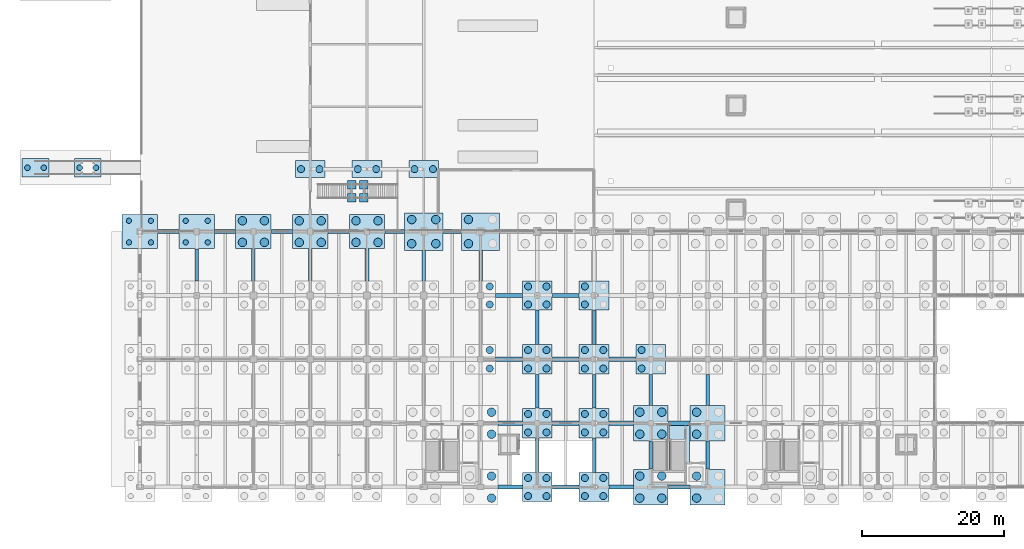
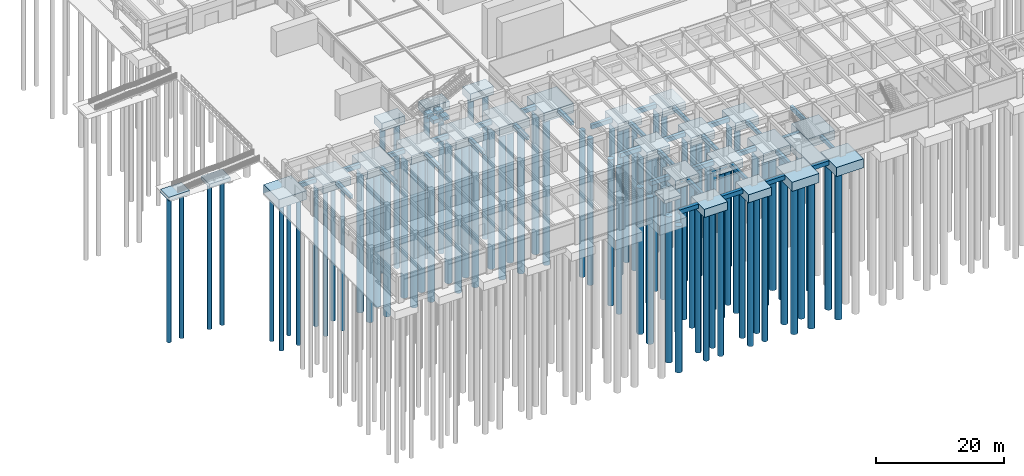
# One storey, part 2 of 147: 88 piles, 66 footings.
"""IFC4 building model written with IfcOpenShell, lengths in metres."""

from ifc_helpers import new_model, si_unit, direction, frame, origin, origin_2d, place, context, subcontext, project, spatial, rectangle, circle, extrude, material, layer, layer_set, material_profile, profile_set, type_object, element, save


model = new_model("IFC4")

# Units and contexts
model_context = context("Model", 3, precision=1e-05, world=origin(), true_north=direction((0.0, 1.0)))
body_context = subcontext(model_context, "Body", "Model", "MODEL_VIEW")
ifc_project = project(units=[si_unit("LENGTHUNIT", "METRE"), si_unit("AREAUNIT", "SQUARE_METRE"), si_unit("VOLUMEUNIT", "CUBIC_METRE"), si_unit("PLANEANGLEUNIT", "RADIAN"), si_unit("MASSUNIT", "GRAM", prefix="KILO")], contexts=[model_context])

# Site, building, storey
site_placement = place(None, origin())
site = spatial("IfcSite", under=ifc_project, at=site_placement, CompositionType="ELEMENT")
building_placement = place(site_placement, origin())
building = spatial("IfcBuilding", under=site, at=building_placement, Name="Varnabhumi Central Station", CompositionType="ELEMENT")
storey_placement = place(building_placement, origin())
storey = spatial("IfcBuildingStorey", under=building, at=storey_placement, Name="L00", CompositionType="ELEMENT", Elevation=0.0)

# Footings
ifc_material_1 = material(Name="Concrete M40", Category="concrete")
ifc_layer_1 = layer(ifc_material_1, 1.39990234375, Name="Concrete M40", Category="concrete")
ifc_layer_set_1 = layer_set([ifc_layer_1], Name="Concrete M40")
footing_type_1 = type_object("IfcFootingType", Name="CAP-CANOPY", PredefinedType="PILE_CAP", material=ifc_layer_set_1)
for number, where, z_axis, x_axis, name in (
    (1, (-14.699951171875, 45.0, -1.75), (0.0, 0.0, 1.0), (1.0, 0.0, 0.0), "RMP-FC-S Toe Pile Cap"),
    (2, (-7.35009765625, 45.0, -1.7998046875), (0.0, 0.0, 1.0), (1.0, 0.0, 0.0), "RMP-FC-S Landing Pile Cap"),
):
    element("IfcFooting", number, at=place(storey_placement, frame(where, z_axis=z_axis, x_axis=x_axis)), inside=storey, type_object=footing_type_1, Name=name, PredefinedType="PILE_CAP", context=body_context, shape_type="SweptSolid", body=[
        extrude(rectangle(XDim=3.800048828125, YDim=2.60009765625, at=origin_2d()), origin(), (0.0, 0.0, 1.0), 0.699951171875),
    ])
ifc_layer_2 = layer(ifc_material_1, 1.75, Name="Concrete M40", Category="concrete")
ifc_layer_set_2 = layer_set([ifc_layer_2], Name="Concrete M40")
footing_type_2 = type_object("IfcFootingType", Name="CAP-CORE-6S", PredefinedType="PILE_CAP", material=ifc_layer_set_2)
for number, where, z_axis, x_axis, name in (
    (3, (72.0, 0.0, -2.050048828125), (0.0, 0.0, 1.0), (1.0, 0.0, 0.0), "Pile Cap 10-A"),
    (4, (72.0, 9.0, -2.050048828125), (0.0, 0.0, 1.0), (1.0, 0.0, 0.0), "Pile Cap 10-B"),
    (5, (80.0, 0.0, -2.050048828125), (0.0, 0.0, 1.0), (1.0, 0.0, 0.0), "Pile Cap 11-A"),
    (6, (80.0, 9.0, -2.050048828125), (0.0, 0.0, 1.0), (1.0, 0.0, 0.0), "Pile Cap 11-B"),
):
    element("IfcFooting", number, at=place(storey_placement, frame(where, z_axis=z_axis, x_axis=x_axis)), inside=storey, type_object=footing_type_2, Name=name, PredefinedType="PILE_CAP", context=body_context, shape_type="SweptSolid", body=[
        extrude(rectangle(XDim=4.89990234375, YDim=5.0, at=origin_2d()), origin(), (0.0, 0.0, 1.0), 1.75),
    ])
ifc_layer_3 = layer(ifc_material_1, 1.5, Name="Concrete M40", Category="concrete")
ifc_layer_set_3 = layer_set([ifc_layer_3], Name="Concrete M40")
footing_type_3 = type_object("IfcFootingType", Name="CAP-NORTH-INT", PredefinedType="PILE_CAP", material=ifc_layer_set_3)
for number, where, z_axis, x_axis, name in (
    (7, (24.0, 44.800048828125, -1.800048828125), (0.0, 0.0, 1.0), (1.0, 0.0, 0.0), "Gallery Pile Cap 4-F"),
    (8, (32.0, 44.800048828125, -1.800048828125), (0.0, 0.0, 1.0), (1.0, 0.0, 0.0), "Gallery Pile Cap 5-F"),
    (9, (40.0, 44.800048828125, -1.800048828125), (0.0, 0.0, 1.0), (1.0, 0.0, 0.0), "Gallery Pile Cap 6-F"),
):
    element("IfcFooting", number, at=place(storey_placement, frame(where, z_axis=z_axis, x_axis=x_axis)), inside=storey, type_object=footing_type_3, Name=name, PredefinedType="PILE_CAP", context=body_context, shape_type="SweptSolid", body=[
        extrude(rectangle(XDim=4.199951171875, YDim=2.39990234375, at=origin_2d()), origin(), (0.0, 0.0, 1.0), 1.5),
    ])
ifc_layer_4 = layer(ifc_material_1, 1.60009765625, Name="Concrete M40", Category="concrete")
ifc_layer_set_4 = layer_set([ifc_layer_4], Name="Concrete M40")
footing_type_4 = type_object("IfcFootingType", Name="CAP-SOUTH-INT", PredefinedType="PILE_CAP", material=ifc_layer_set_4)
for number, where, z_axis, x_axis, name in (
    (10, (56.0, 9.0, -1.900146484375), (0.0, 0.0, 1.0), (1.0, 0.0, 0.0), "Pile Cap 8-B"),
    (11, (56.0, 18.0, -1.900146484375), (0.0, 0.0, 1.0), (1.0, 0.0, 0.0), "Pile Cap 8-C"),
    (12, (64.0, 9.0, -1.900146484375), (0.0, 0.0, 1.0), (1.0, 0.0, 0.0), "Pile Cap 9-B"),
    (13, (64.0, 18.0, -1.900146484375), (0.0, 0.0, 1.0), (1.0, 0.0, 0.0), "Pile Cap 9-C"),
    (14, (72.0, 18.0, -1.900146484375), (0.0, 0.0, 1.0), (1.0, 0.0, 0.0), "Pile Cap 10-C"),
):
    element("IfcFooting", number, at=place(storey_placement, frame(where, z_axis=z_axis, x_axis=x_axis)), inside=storey, type_object=footing_type_4, Name=name, PredefinedType="PILE_CAP", context=body_context, shape_type="SweptSolid", body=[
        extrude(rectangle(XDim=4.199951171875, YDim=4.199951171875, at=origin_2d()), origin(), (0.0, 0.0, 1.0), 1.60009765625),
    ])
ifc_layer_5 = layer(ifc_material_1, 1.550048828125, Name="Concrete M40", Category="concrete")
ifc_layer_set_5 = layer_set([ifc_layer_5], Name="Concrete M40")
footing_type_5 = type_object("IfcFootingType", Name="CAP-SOUTH-PER", PredefinedType="PILE_CAP", material=ifc_layer_set_5)
for number, where, z_axis, x_axis, name in (
    (15, (56.0, 0.0, -1.85009765625), (0.0, 0.0, 1.0), (1.0, 0.0, 0.0), "Pile Cap 8-A"),
    (16, (56.0, 27.0, -1.85009765625), (0.0, 0.0, 1.0), (1.0, 0.0, 0.0), "Pile Cap 8-D"),
    (17, (64.0, 0.0, -1.85009765625), (0.0, 0.0, 1.0), (1.0, 0.0, 0.0), "Pile Cap 9-A"),
    (18, (64.0, 27.0, -1.85009765625), (0.0, 0.0, 1.0), (1.0, 0.0, 0.0), "Pile Cap 9-D"),
):
    element("IfcFooting", number, at=place(storey_placement, frame(where, z_axis=z_axis, x_axis=x_axis)), inside=storey, type_object=footing_type_5, Name=name, PredefinedType="PILE_CAP", context=body_context, shape_type="SweptSolid", body=[
        extrude(rectangle(XDim=4.199951171875, YDim=4.10009765625, at=origin_2d()), origin(), (0.0, 0.0, 1.0), 1.550048828125),
    ])
ifc_layer_6 = layer(ifc_material_1, 1.800048828125, Name="Concrete M40", Category="concrete")
ifc_layer_set_6 = layer_set([ifc_layer_6], Name="Concrete M40")
footing_type_6 = type_object("IfcFootingType", Name="CAP-SPINE-HVY", PredefinedType="PILE_CAP", material=ifc_layer_set_6)
for number, where, z_axis, x_axis, name in (
    (19, (40.0, 36.0, -2.10009765625), (0.0, 0.0, 1.0), (1.0, 0.0, 0.0), "Pile Cap 6-E"),
    (20, (48.0, 36.0, -2.10009765625), (0.0, 0.0, 1.0), (1.0, 0.0, 0.0), "Pile Cap 7-E"),
):
    element("IfcFooting", number, at=place(storey_placement, frame(where, z_axis=z_axis, x_axis=x_axis)), inside=storey, type_object=footing_type_6, Name=name, PredefinedType="PILE_CAP", context=body_context, shape_type="SweptSolid", body=[
        extrude(rectangle(XDim=5.39990234375, YDim=5.300048828125, at=origin_2d()), origin(), (0.0, 0.0, 1.0), 1.800048828125),
    ])
ifc_layer_7 = layer(ifc_material_1, 1.699951171875, Name="Concrete M40", Category="concrete")
ifc_layer_set_7 = layer_set([ifc_layer_7], Name="Concrete M40")
footing_type_7 = type_object("IfcFootingType", Name="CAP-SPINE-MED", PredefinedType="PILE_CAP", material=ifc_layer_set_7)
for number, where, z_axis, x_axis, name in (
    (21, (0.0, 36.0, -2.0), (0.0, 0.0, 1.0), (1.0, 0.0, 0.0), "Pile Cap 1-E"),
    (22, (8.0, 36.0, -2.0), (0.0, 0.0, 1.0), (1.0, 0.0, 0.0), "Pile Cap 2-E"),
    (23, (16.0, 36.0, -2.0), (0.0, 0.0, 1.0), (1.0, 0.0, 0.0), "Pile Cap 3-E"),
    (24, (24.0, 36.0, -2.0), (0.0, 0.0, 1.0), (1.0, 0.0, 0.0), "Pile Cap 4-E"),
    (25, (32.0, 36.0, -2.0), (0.0, 0.0, 1.0), (1.0, 0.0, 0.0), "Pile Cap 5-E"),
):
    element("IfcFooting", number, at=place(storey_placement, frame(where, z_axis=z_axis, x_axis=x_axis)), inside=storey, type_object=footing_type_7, Name=name, PredefinedType="PILE_CAP", context=body_context, shape_type="SweptSolid", body=[
        extrude(rectangle(XDim=5.0, YDim=4.800048828125, at=origin_2d()), origin(), (0.0, 0.0, 1.0), 1.699951171875),
    ])
footing_type_8 = type_object("IfcFootingType", Name="FTG-STRIP-PLAT", PredefinedType="STRIP_FOOTING", material=ifc_material_1)
footing_1_placement = place(storey_placement, frame((76.0, 4.5, -1.60009765625), z_axis=(0.0, 0.0, 1.0), x_axis=(1.0, 0.0, 0.0)))
element("IfcFooting", 26, at=footing_1_placement, inside=storey, type_object=footing_type_8, Name="Core Foundation Mat SC4", PredefinedType="STRIP_FOOTING", context=body_context, shape_type="SweptSolid", body=[
    extrude(rectangle(XDim=2.89990234375, YDim=8.300048828125, at=origin_2d()), origin(), (0.0, 0.0, 1.0), 1.300048828125),
])
footing_2_placement = place(storey_placement, frame((52.0, 6.0, -2.0), z_axis=(0.0, 0.0, 1.0), x_axis=(1.0, 0.0, 0.0)))
element("IfcFooting", 27, at=footing_2_placement, inside=storey, type_object=footing_type_8, Name="Lift Shaft Foundation Pad GL-2", PredefinedType="STRIP_FOOTING", context=body_context, shape_type="SweptSolid", body=[
    extrude(rectangle(XDim=3.0, YDim=3.0, at=origin_2d()), origin(), (0.0, 0.0, 1.0), 0.64990234375),
])
for number, where, z_axis, x_axis, name in (
    (28, (29.85009765625, 40.800048828125, -1.0), (0.0, 0.0, 1.0), (1.0, 0.0, 0.0), "Mezzanine Stair Post Footing 1S"),
    (29, (29.85009765625, 42.60009765625, -1.0), (0.0, 0.0, 1.0), (1.0, 0.0, 0.0), "Mezzanine Stair Post Footing 1N"),
    (30, (31.550048828125, 40.800048828125, -1.0), (0.0, 0.0, 1.0), (1.0, 0.0, 0.0), "Mezzanine Stair Post Footing 2S"),
    (31, (31.550048828125, 42.60009765625, -1.0), (0.0, 0.0, 1.0), (1.0, 0.0, 0.0), "Mezzanine Stair Post Footing 2N"),
):
    element("IfcFooting", number, at=place(storey_placement, frame(where, z_axis=z_axis, x_axis=x_axis)), inside=storey, type_object=footing_type_8, Name=name, PredefinedType="STRIP_FOOTING", context=body_context, shape_type="SweptSolid", body=[
        extrude(rectangle(XDim=1.199951171875, YDim=1.199951171875, at=origin_2d()), origin(), (0.0, 0.0, 1.0), 0.699951171875),
    ])
footing_type_9 = type_object("IfcFootingType", Name="FTG-TIE-500x700", PredefinedType="FOOTING_BEAM", material=ifc_material_1)
for number, where, z_axis, x_axis, name in (
    (32, (8.0, 31.324951171875, -1.0), (0.0, 0.0, 1.0), (1.0, 0.0, 0.0), "Plinth Tie Beam 2:D-E"),
    (33, (16.0, 31.324951171875, -1.0), (0.0, 0.0, 1.0), (1.0, 0.0, 0.0), "Plinth Tie Beam 3:D-E"),
    (34, (24.0, 31.324951171875, -1.0), (0.0, 0.0, 1.0), (1.0, 0.0, 0.0), "Plinth Tie Beam 4:D-E"),
    (35, (32.0, 31.324951171875, -1.0), (0.0, 0.0, 1.0), (1.0, 0.0, 0.0), "Plinth Tie Beam 5:D-E"),
):
    element("IfcFooting", number, at=place(storey_placement, frame(where, z_axis=z_axis, x_axis=x_axis)), inside=storey, type_object=footing_type_9, Name=name, PredefinedType="FOOTING_BEAM", context=body_context, shape_type="SweptSolid", body=[
        extrude(rectangle(XDim=0.5, YDim=4.510009765625, at=origin_2d()), origin(), (0.0, 0.0, 1.0), 0.699951171875),
    ])
for number, where, z_axis, x_axis, name in (
    (36, (40.0, 31.199951171875, -1.0), (0.0, 0.0, 1.0), (1.0, 0.0, 0.0), "Plinth Tie Beam 6:D-E"),
    (37, (48.0, 31.199951171875, -1.0), (0.0, 0.0, 1.0), (1.0, 0.0, 0.0), "Plinth Tie Beam 7:D-E"),
):
    element("IfcFooting", number, at=place(storey_placement, frame(where, z_axis=z_axis, x_axis=x_axis)), inside=storey, type_object=footing_type_9, Name=name, PredefinedType="FOOTING_BEAM", context=body_context, shape_type="SweptSolid", body=[
        extrude(rectangle(XDim=0.5, YDim=4.260009765625, at=origin_2d()), origin(), (0.0, 0.0, 1.0), 0.699951171875),
    ])
footing_3_placement = place(storey_placement, frame((56.0, 4.47509765625, -1.0), z_axis=(0.0, 0.0, 1.0), x_axis=(1.0, 0.0, 0.0)))
element("IfcFooting", 38, at=footing_3_placement, inside=storey, type_object=footing_type_9, Name="Plinth Tie Beam 8:A-B", PredefinedType="FOOTING_BEAM", context=body_context, shape_type="SweptSolid", body=[
    extrude(rectangle(XDim=0.5, YDim=4.81005859375, at=origin_2d()), origin(), (0.0, 0.0, 1.0), 0.699951171875),
])
footing_4_placement = place(storey_placement, frame((56.0, 13.5, -1.0), z_axis=(0.0, 0.0, 1.0), x_axis=(1.0, 0.0, 0.0)))
element("IfcFooting", 39, at=footing_4_placement, inside=storey, type_object=footing_type_9, Name="Plinth Tie Beam 8:B-C", PredefinedType="FOOTING_BEAM", context=body_context, shape_type="SweptSolid", body=[
    extrude(rectangle(XDim=0.5, YDim=4.760009765625, at=origin_2d()), origin(), (0.0, 0.0, 1.0), 0.699951171875),
])
for number, where, z_axis, x_axis, name in (
    (40, (56.0, 22.52490234375, -1.0), (0.0, 0.0, 1.0), (1.0, 0.0, 0.0), "Plinth Tie Beam 8:C-D"),
    (41, (64.0, 4.47509765625, -1.0), (0.0, 0.0, 1.0), (1.0, 0.0, 0.0), "Plinth Tie Beam 9:A-B"),
):
    element("IfcFooting", number, at=place(storey_placement, frame(where, z_axis=z_axis, x_axis=x_axis)), inside=storey, type_object=footing_type_9, Name=name, PredefinedType="FOOTING_BEAM", context=body_context, shape_type="SweptSolid", body=[
        extrude(rectangle(XDim=0.5, YDim=4.81005859375, at=origin_2d()), origin(), (0.0, 0.0, 1.0), 0.699951171875),
    ])
footing_5_placement = place(storey_placement, frame((64.0, 13.5, -1.0), z_axis=(0.0, 0.0, 1.0), x_axis=(1.0, 0.0, 0.0)))
element("IfcFooting", 42, at=footing_5_placement, inside=storey, type_object=footing_type_9, Name="Plinth Tie Beam 9:B-C", PredefinedType="FOOTING_BEAM", context=body_context, shape_type="SweptSolid", body=[
    extrude(rectangle(XDim=0.5, YDim=4.760009765625, at=origin_2d()), origin(), (0.0, 0.0, 1.0), 0.699951171875),
])
footing_6_placement = place(storey_placement, frame((64.0, 22.52490234375, -1.0), z_axis=(0.0, 0.0, 1.0), x_axis=(1.0, 0.0, 0.0)))
element("IfcFooting", 43, at=footing_6_placement, inside=storey, type_object=footing_type_9, Name="Plinth Tie Beam 9:C-D", PredefinedType="FOOTING_BEAM", context=body_context, shape_type="SweptSolid", body=[
    extrude(rectangle(XDim=0.5, YDim=4.81005859375, at=origin_2d()), origin(), (0.0, 0.0, 1.0), 0.699951171875),
])
footing_7_placement = place(storey_placement, frame((72.0, 4.5, -1.0), z_axis=(0.0, 0.0, 1.0), x_axis=(1.0, 0.0, 0.0)))
element("IfcFooting", 44, at=footing_7_placement, inside=storey, type_object=footing_type_9, Name="Plinth Tie Beam 10:A-B", PredefinedType="FOOTING_BEAM", context=body_context, shape_type="SweptSolid", body=[
    extrude(rectangle(XDim=0.5, YDim=3.9599609375, at=origin_2d()), origin(), (0.0, 0.0, 1.0), 0.699951171875),
])
footing_8_placement = place(storey_placement, frame((72.0, 13.699951171875, -1.0), z_axis=(0.0, 0.0, 1.0), x_axis=(1.0, 0.0, 0.0)))
element("IfcFooting", 45, at=footing_8_placement, inside=storey, type_object=footing_type_9, Name="Plinth Tie Beam 10:B-C", PredefinedType="FOOTING_BEAM", context=body_context, shape_type="SweptSolid", body=[
    extrude(rectangle(XDim=0.5, YDim=4.360107421875, at=origin_2d()), origin(), (0.0, 0.0, 1.0), 0.699951171875),
])
footing_9_placement = place(storey_placement, frame((80.0, 4.5, -1.0), z_axis=(0.0, 0.0, 1.0), x_axis=(1.0, 0.0, 0.0)))
element("IfcFooting", 46, at=footing_9_placement, inside=storey, type_object=footing_type_9, Name="Plinth Tie Beam 11:A-B", PredefinedType="FOOTING_BEAM", context=body_context, shape_type="SweptSolid", body=[
    extrude(rectangle(XDim=0.5, YDim=3.9599609375, at=origin_2d()), origin(), (0.0, 0.0, 1.0), 0.699951171875),
])
footing_10_placement = place(storey_placement, frame((80.0, 13.699951171875, -1.0), z_axis=(0.0, 0.0, 1.0), x_axis=(1.0, 0.0, 0.0)))
element("IfcFooting", 47, at=footing_10_placement, inside=storey, type_object=footing_type_9, Name="Plinth Tie Beam 11:B-C", PredefinedType="FOOTING_BEAM", context=body_context, shape_type="SweptSolid", body=[
    extrude(rectangle(XDim=0.5, YDim=4.360107421875, at=origin_2d()), origin(), (0.0, 0.0, 1.0), 0.699951171875),
])
footing_type_10 = type_object("IfcFootingType", Name="FTG-TIE-600x800", PredefinedType="FOOTING_BEAM", material=ifc_material_1)
for number, where, z_axis, x_axis, name in (
    (48, (4.0, 36.0, -1.10009765625), (0.0, 0.0, 1.0), (1.0, 0.0, 0.0), "Plinth Tie Beam E:1-2"),
    (49, (12.0, 36.0, -1.10009765625), (0.0, 0.0, 1.0), (1.0, 0.0, 0.0), "Plinth Tie Beam E:2-3"),
    (50, (20.0, 36.0, -1.10009765625), (0.0, 0.0, 1.0), (1.0, 0.0, 0.0), "Plinth Tie Beam E:3-4"),
    (51, (28.0, 36.0, -1.10009765625), (0.0, 0.0, 1.0), (1.0, 0.0, 0.0), "Plinth Tie Beam E:4-5"),
):
    element("IfcFooting", number, at=place(storey_placement, frame(where, z_axis=z_axis, x_axis=x_axis)), inside=storey, type_object=footing_type_10, Name=name, PredefinedType="FOOTING_BEAM", context=body_context, shape_type="SweptSolid", body=[
        extrude(rectangle(XDim=2.9599609375, YDim=0.60009765625, at=origin_2d()), origin(), (0.0, 0.0, 1.0), 0.800048828125),
    ])
footing_11_placement = place(storey_placement, frame((35.89990234375, 36.0, -1.10009765625), z_axis=(0.0, 0.0, 1.0), x_axis=(1.0, 0.0, 0.0)))
element("IfcFooting", 52, at=footing_11_placement, inside=storey, type_object=footing_type_10, Name="Plinth Tie Beam E:5-6", PredefinedType="FOOTING_BEAM", context=body_context, shape_type="SweptSolid", body=[
    extrude(rectangle(XDim=2.760009765625, YDim=0.60009765625, at=origin_2d()), origin(), (0.0, 0.0, 1.0), 0.800048828125),
])
footing_12_placement = place(storey_placement, frame((44.0, 36.0, -1.10009765625), z_axis=(0.0, 0.0, 1.0), x_axis=(1.0, 0.0, 0.0)))
element("IfcFooting", 53, at=footing_12_placement, inside=storey, type_object=footing_type_10, Name="Plinth Tie Beam E:6-7", PredefinedType="FOOTING_BEAM", context=body_context, shape_type="SweptSolid", body=[
    extrude(rectangle(XDim=2.56005859375, YDim=0.60009765625, at=origin_2d()), origin(), (0.0, 0.0, 1.0), 0.800048828125),
])
for number, where, z_axis, x_axis, name in (
    (54, (52.175048828125, 0.0, -1.10009765625), (0.0, 0.0, 1.0), (1.0, 0.0, 0.0), "Plinth Tie Beam A:7-8"),
    (55, (52.175048828125, 9.0, -1.10009765625), (0.0, 0.0, 1.0), (1.0, 0.0, 0.0), "Plinth Tie Beam B:7-8"),
):
    element("IfcFooting", number, at=place(storey_placement, frame(where, z_axis=z_axis, x_axis=x_axis)), inside=storey, type_object=footing_type_10, Name=name, PredefinedType="FOOTING_BEAM", context=body_context, shape_type="SweptSolid", body=[
        extrude(rectangle(XDim=3.409912109375, YDim=0.60009765625, at=origin_2d()), origin(), (0.0, 0.0, 1.0), 0.800048828125),
    ])
for number, where, z_axis, x_axis, name in (
    (56, (52.0, 18.0, -1.10009765625), (0.0, 0.0, 1.0), (1.0, 0.0, 0.0), "Plinth Tie Beam C:7-8"),
    (57, (52.0, 27.0, -1.10009765625), (0.0, 0.0, 1.0), (1.0, 0.0, 0.0), "Plinth Tie Beam D:7-8"),
    (58, (60.0, 0.0, -1.10009765625), (0.0, 0.0, 1.0), (1.0, 0.0, 0.0), "Plinth Tie Beam A:8-9"),
    (59, (60.0, 9.0, -1.10009765625), (0.0, 0.0, 1.0), (1.0, 0.0, 0.0), "Plinth Tie Beam B:8-9"),
    (60, (60.0, 18.0, -1.10009765625), (0.0, 0.0, 1.0), (1.0, 0.0, 0.0), "Plinth Tie Beam C:8-9"),
    (61, (60.0, 27.0, -1.10009765625), (0.0, 0.0, 1.0), (1.0, 0.0, 0.0), "Plinth Tie Beam D:8-9"),
):
    element("IfcFooting", number, at=place(storey_placement, frame(where, z_axis=z_axis, x_axis=x_axis)), inside=storey, type_object=footing_type_10, Name=name, PredefinedType="FOOTING_BEAM", context=body_context, shape_type="SweptSolid", body=[
        extrude(rectangle(XDim=3.760009765625, YDim=0.60009765625, at=origin_2d()), origin(), (0.0, 0.0, 1.0), 0.800048828125),
    ])
for number, where, z_axis, x_axis, name in (
    (62, (67.824951171875, 0.0, -1.10009765625), (0.0, 0.0, 1.0), (1.0, 0.0, 0.0), "Plinth Tie Beam A:9-10"),
    (63, (67.824951171875, 9.0, -1.10009765625), (0.0, 0.0, 1.0), (1.0, 0.0, 0.0), "Plinth Tie Beam B:9-10"),
):
    element("IfcFooting", number, at=place(storey_placement, frame(where, z_axis=z_axis, x_axis=x_axis)), inside=storey, type_object=footing_type_10, Name=name, PredefinedType="FOOTING_BEAM", context=body_context, shape_type="SweptSolid", body=[
        extrude(rectangle(XDim=3.409912109375, YDim=0.60009765625, at=origin_2d()), origin(), (0.0, 0.0, 1.0), 0.800048828125),
    ])
footing_13_placement = place(storey_placement, frame((68.0, 18.0, -1.10009765625), z_axis=(0.0, 0.0, 1.0), x_axis=(1.0, 0.0, 0.0)))
element("IfcFooting", 64, at=footing_13_placement, inside=storey, type_object=footing_type_10, Name="Plinth Tie Beam C:9-10", PredefinedType="FOOTING_BEAM", context=body_context, shape_type="SweptSolid", body=[
    extrude(rectangle(XDim=3.760009765625, YDim=0.60009765625, at=origin_2d()), origin(), (0.0, 0.0, 1.0), 0.800048828125),
])
for number, where, z_axis, x_axis, name in (
    (65, (76.0, 0.0, -1.10009765625), (0.0, 0.0, 1.0), (1.0, 0.0, 0.0), "Plinth Tie Beam A:10-11"),
    (66, (76.0, 9.0, -1.10009765625), (0.0, 0.0, 1.0), (1.0, 0.0, 0.0), "Plinth Tie Beam B:10-11"),
):
    element("IfcFooting", number, at=place(storey_placement, frame(where, z_axis=z_axis, x_axis=x_axis)), inside=storey, type_object=footing_type_10, Name=name, PredefinedType="FOOTING_BEAM", context=body_context, shape_type="SweptSolid", body=[
        extrude(rectangle(XDim=3.06005859375, YDim=0.60009765625, at=origin_2d()), origin(), (0.0, 0.0, 1.0), 0.800048828125),
    ])

# Piles
ifc_material_2 = material(Name="Concrete M35", Category="concrete")
ifc_material_profile_1 = material_profile(ifc_material_2, circle(Radius=0.5, at=origin_2d()), Name="Concrete M35", Category="concrete")
ifc_profile_set_1 = profile_set([ifc_material_profile_1], Name="Concrete M35")
pile_type_1 = type_object("IfcPileType", Name="PILE-D1000", PredefinedType="BORED", material=ifc_profile_set_1)
for number, where, z_axis, x_axis, name in (
    (67, (49.300048828125, 16.699951171875, -1.800048828125), (0.0, 0.0, -1.0), (1.0, 0.0, 0.0), "Bored Pile 7-C-P2"),
    (68, (49.300048828125, 19.300048828125, -1.800048828125), (0.0, 0.0, -1.0), (1.0, 0.0, 0.0), "Bored Pile 7-C-P4"),
    (69, (49.300048828125, 25.72998046875, -1.75), (0.0, 0.0, -1.0), (1.0, 0.0, 0.0), "Bored Pile 7-D-P2"),
    (70, (49.300048828125, 28.27001953125, -1.75), (0.0, 0.0, -1.0), (1.0, 0.0, 0.0), "Bored Pile 7-D-P4"),
    (71, (54.699951171875, -1.27001953125, -1.75), (0.0, 0.0, -1.0), (1.0, 0.0, 0.0), "Bored Pile 8-A-P1"),
    (72, (57.300048828125, -1.27001953125, -1.75), (0.0, 0.0, -1.0), (1.0, 0.0, 0.0), "Bored Pile 8-A-P2"),
    (73, (54.699951171875, 1.27001953125, -1.75), (0.0, 0.0, -1.0), (1.0, 0.0, 0.0), "Bored Pile 8-A-P3"),
    (74, (57.300048828125, 1.27001953125, -1.75), (0.0, 0.0, -1.0), (1.0, 0.0, 0.0), "Bored Pile 8-A-P4"),
    (75, (54.699951171875, 7.699951171875, -1.800048828125), (0.0, 0.0, -1.0), (1.0, 0.0, 0.0), "Bored Pile 8-B-P1"),
    (76, (57.300048828125, 7.699951171875, -1.800048828125), (0.0, 0.0, -1.0), (1.0, 0.0, 0.0), "Bored Pile 8-B-P2"),
    (77, (54.699951171875, 10.300048828125, -1.800048828125), (0.0, 0.0, -1.0), (1.0, 0.0, 0.0), "Bored Pile 8-B-P3"),
    (78, (57.300048828125, 10.300048828125, -1.800048828125), (0.0, 0.0, -1.0), (1.0, 0.0, 0.0), "Bored Pile 8-B-P4"),
    (79, (54.699951171875, 16.699951171875, -1.800048828125), (0.0, 0.0, -1.0), (1.0, 0.0, 0.0), "Bored Pile 8-C-P1"),
    (80, (57.300048828125, 16.699951171875, -1.800048828125), (0.0, 0.0, -1.0), (1.0, 0.0, 0.0), "Bored Pile 8-C-P2"),
    (81, (54.699951171875, 19.300048828125, -1.800048828125), (0.0, 0.0, -1.0), (1.0, 0.0, 0.0), "Bored Pile 8-C-P3"),
    (82, (57.300048828125, 19.300048828125, -1.800048828125), (0.0, 0.0, -1.0), (1.0, 0.0, 0.0), "Bored Pile 8-C-P4"),
    (83, (54.699951171875, 25.72998046875, -1.75), (0.0, 0.0, -1.0), (1.0, 0.0, 0.0), "Bored Pile 8-D-P1"),
    (84, (57.300048828125, 25.72998046875, -1.75), (0.0, 0.0, -1.0), (1.0, 0.0, 0.0), "Bored Pile 8-D-P2"),
    (85, (54.699951171875, 28.27001953125, -1.75), (0.0, 0.0, -1.0), (1.0, 0.0, 0.0), "Bored Pile 8-D-P3"),
    (86, (57.300048828125, 28.27001953125, -1.75), (0.0, 0.0, -1.0), (1.0, 0.0, 0.0), "Bored Pile 8-D-P4"),
    (87, (62.699951171875, -1.27001953125, -1.75), (0.0, 0.0, -1.0), (1.0, 0.0, 0.0), "Bored Pile 9-A-P1"),
    (88, (65.300048828125, -1.27001953125, -1.75), (0.0, 0.0, -1.0), (1.0, 0.0, 0.0), "Bored Pile 9-A-P2"),
    (89, (62.699951171875, 1.27001953125, -1.75), (0.0, 0.0, -1.0), (1.0, 0.0, 0.0), "Bored Pile 9-A-P3"),
    (90, (65.300048828125, 1.27001953125, -1.75), (0.0, 0.0, -1.0), (1.0, 0.0, 0.0), "Bored Pile 9-A-P4"),
    (91, (62.699951171875, 7.699951171875, -1.800048828125), (0.0, 0.0, -1.0), (1.0, 0.0, 0.0), "Bored Pile 9-B-P1"),
    (92, (65.300048828125, 7.699951171875, -1.800048828125), (0.0, 0.0, -1.0), (1.0, 0.0, 0.0), "Bored Pile 9-B-P2"),
    (93, (62.699951171875, 10.300048828125, -1.800048828125), (0.0, 0.0, -1.0), (1.0, 0.0, 0.0), "Bored Pile 9-B-P3"),
    (94, (65.300048828125, 10.300048828125, -1.800048828125), (0.0, 0.0, -1.0), (1.0, 0.0, 0.0), "Bored Pile 9-B-P4"),
    (95, (62.699951171875, 16.699951171875, -1.800048828125), (0.0, 0.0, -1.0), (1.0, 0.0, 0.0), "Bored Pile 9-C-P1"),
    (96, (65.300048828125, 16.699951171875, -1.800048828125), (0.0, 0.0, -1.0), (1.0, 0.0, 0.0), "Bored Pile 9-C-P2"),
    (97, (62.699951171875, 19.300048828125, -1.800048828125), (0.0, 0.0, -1.0), (1.0, 0.0, 0.0), "Bored Pile 9-C-P3"),
    (98, (65.300048828125, 19.300048828125, -1.800048828125), (0.0, 0.0, -1.0), (1.0, 0.0, 0.0), "Bored Pile 9-C-P4"),
    (99, (62.699951171875, 25.72998046875, -1.75), (0.0, 0.0, -1.0), (1.0, 0.0, 0.0), "Bored Pile 9-D-P1"),
    (100, (62.699951171875, 28.27001953125, -1.75), (0.0, 0.0, -1.0), (1.0, 0.0, 0.0), "Bored Pile 9-D-P3"),
    (101, (70.699951171875, 16.699951171875, -1.800048828125), (0.0, 0.0, -1.0), (1.0, 0.0, 0.0), "Bored Pile 10-C-P1"),
    (102, (70.699951171875, 19.300048828125, -1.800048828125), (0.0, 0.0, -1.0), (1.0, 0.0, 0.0), "Bored Pile 10-C-P3"),
    (103, (22.699951171875, 44.800048828125, -1.699951171875), (0.0, 0.0, -1.0), (1.0, 0.0, 0.0), "Gallery Pile 4-F-P1"),
    (104, (25.300048828125, 44.800048828125, -1.699951171875), (0.0, 0.0, -1.0), (1.0, 0.0, 0.0), "Gallery Pile 4-F-P2"),
    (105, (30.699951171875, 44.800048828125, -1.699951171875), (0.0, 0.0, -1.0), (1.0, 0.0, 0.0), "Gallery Pile 5-F-P1"),
    (106, (33.300048828125, 44.800048828125, -1.699951171875), (0.0, 0.0, -1.0), (1.0, 0.0, 0.0), "Gallery Pile 5-F-P2"),
    (107, (38.699951171875, 44.800048828125, -1.699951171875), (0.0, 0.0, -1.0), (1.0, 0.0, 0.0), "Gallery Pile 6-F-P1"),
    (108, (41.300048828125, 44.800048828125, -1.699951171875), (0.0, 0.0, -1.0), (1.0, 0.0, 0.0), "Gallery Pile 6-F-P2"),
):
    element("IfcPile", number, at=place(storey_placement, frame(where, z_axis=z_axis, x_axis=x_axis)), inside=storey, type_object=pile_type_1, Name=name, PredefinedType="BORED", context=body_context, shape_type="SweptSolid", body=[
        extrude(circle(Radius=0.5, at=origin_2d()), origin(), (0.0, 0.0, 1.0), 28.0),
    ])
ifc_material_profile_2 = material_profile(ifc_material_2, circle(Radius=0.60009765625, at=origin_2d()), Name="Concrete M35", Category="concrete")
ifc_profile_set_2 = profile_set([ifc_material_profile_2], Name="Concrete M35")
pile_type_2 = type_object("IfcPileType", Name="PILE-D1200", PredefinedType="BORED", material=ifc_profile_set_2)
for number, where, z_axis, x_axis, name in (
    (109, (14.449951171875, 34.47998046875, -1.89990234375), (0.0, 0.0, -1.0), (1.0, 0.0, 0.0), "Bored Pile 3-E-P1"),
    (110, (17.550048828125, 34.47998046875, -1.89990234375), (0.0, 0.0, -1.0), (1.0, 0.0, 0.0), "Bored Pile 3-E-P2"),
    (111, (14.449951171875, 37.52001953125, -1.89990234375), (0.0, 0.0, -1.0), (1.0, 0.0, 0.0), "Bored Pile 3-E-P3"),
    (112, (17.550048828125, 37.52001953125, -1.89990234375), (0.0, 0.0, -1.0), (1.0, 0.0, 0.0), "Bored Pile 3-E-P4"),
    (113, (22.449951171875, 34.47998046875, -1.89990234375), (0.0, 0.0, -1.0), (1.0, 0.0, 0.0), "Bored Pile 4-E-P1"),
    (114, (25.550048828125, 34.47998046875, -1.89990234375), (0.0, 0.0, -1.0), (1.0, 0.0, 0.0), "Bored Pile 4-E-P2"),
    (115, (22.449951171875, 37.52001953125, -1.89990234375), (0.0, 0.0, -1.0), (1.0, 0.0, 0.0), "Bored Pile 4-E-P3"),
    (116, (25.550048828125, 37.52001953125, -1.89990234375), (0.0, 0.0, -1.0), (1.0, 0.0, 0.0), "Bored Pile 4-E-P4"),
    (117, (30.449951171875, 34.47998046875, -1.89990234375), (0.0, 0.0, -1.0), (1.0, 0.0, 0.0), "Bored Pile 5-E-P1"),
    (118, (33.550048828125, 34.47998046875, -1.89990234375), (0.0, 0.0, -1.0), (1.0, 0.0, 0.0), "Bored Pile 5-E-P2"),
    (119, (30.449951171875, 37.52001953125, -1.89990234375), (0.0, 0.0, -1.0), (1.0, 0.0, 0.0), "Bored Pile 5-E-P3"),
    (120, (33.550048828125, 37.52001953125, -1.89990234375), (0.0, 0.0, -1.0), (1.0, 0.0, 0.0), "Bored Pile 5-E-P4"),
    (121, (38.300048828125, 34.300048828125, -2.0), (0.0, 0.0, -1.0), (1.0, 0.0, 0.0), "Bored Pile 6-E-P1"),
    (122, (41.699951171875, 34.300048828125, -2.0), (0.0, 0.0, -1.0), (1.0, 0.0, 0.0), "Bored Pile 6-E-P2"),
    (123, (38.300048828125, 37.699951171875, -2.0), (0.0, 0.0, -1.0), (1.0, 0.0, 0.0), "Bored Pile 6-E-P3"),
    (124, (41.699951171875, 37.699951171875, -2.0), (0.0, 0.0, -1.0), (1.0, 0.0, 0.0), "Bored Pile 6-E-P4"),
    (125, (49.550048828125, -1.550048828125, -1.949951171875), (0.0, 0.0, -1.0), (1.0, 0.0, 0.0), "Bored Pile 7-A-P2"),
    (126, (49.550048828125, 1.550048828125, -1.949951171875), (0.0, 0.0, -1.0), (1.0, 0.0, 0.0), "Bored Pile 7-A-P4"),
    (127, (49.550048828125, 7.449951171875, -1.949951171875), (0.0, 0.0, -1.0), (1.0, 0.0, 0.0), "Bored Pile 7-B-P2"),
    (128, (49.550048828125, 10.550048828125, -1.949951171875), (0.0, 0.0, -1.0), (1.0, 0.0, 0.0), "Bored Pile 7-B-P4"),
    (129, (46.300048828125, 34.300048828125, -2.0), (0.0, 0.0, -1.0), (1.0, 0.0, 0.0), "Bored Pile 7-E-P1"),
    (130, (46.300048828125, 37.699951171875, -2.0), (0.0, 0.0, -1.0), (1.0, 0.0, 0.0), "Bored Pile 7-E-P3"),
    (131, (70.449951171875, -1.550048828125, -1.949951171875), (0.0, 0.0, -1.0), (1.0, 0.0, 0.0), "Bored Pile 10-A-P1"),
    (132, (73.550048828125, -1.550048828125, -1.949951171875), (0.0, 0.0, -1.0), (1.0, 0.0, 0.0), "Bored Pile 10-A-P2"),
    (133, (70.449951171875, 1.550048828125, -1.949951171875), (0.0, 0.0, -1.0), (1.0, 0.0, 0.0), "Bored Pile 10-A-P3"),
    (134, (73.550048828125, 1.550048828125, -1.949951171875), (0.0, 0.0, -1.0), (1.0, 0.0, 0.0), "Bored Pile 10-A-P4"),
    (135, (70.449951171875, 7.449951171875, -1.949951171875), (0.0, 0.0, -1.0), (1.0, 0.0, 0.0), "Bored Pile 10-B-P1"),
    (136, (73.550048828125, 7.449951171875, -1.949951171875), (0.0, 0.0, -1.0), (1.0, 0.0, 0.0), "Bored Pile 10-B-P2"),
    (137, (70.449951171875, 10.550048828125, -1.949951171875), (0.0, 0.0, -1.0), (1.0, 0.0, 0.0), "Bored Pile 10-B-P3"),
    (138, (73.550048828125, 10.550048828125, -1.949951171875), (0.0, 0.0, -1.0), (1.0, 0.0, 0.0), "Bored Pile 10-B-P4"),
    (139, (78.449951171875, -1.550048828125, -1.949951171875), (0.0, 0.0, -1.0), (1.0, 0.0, 0.0), "Bored Pile 11-A-P1"),
    (140, (78.449951171875, 1.550048828125, -1.949951171875), (0.0, 0.0, -1.0), (1.0, 0.0, 0.0), "Bored Pile 11-A-P3"),
    (141, (78.449951171875, 7.449951171875, -1.949951171875), (0.0, 0.0, -1.0), (1.0, 0.0, 0.0), "Bored Pile 11-B-P1"),
    (142, (78.449951171875, 10.550048828125, -1.949951171875), (0.0, 0.0, -1.0), (1.0, 0.0, 0.0), "Bored Pile 11-B-P3"),
):
    element("IfcPile", number, at=place(storey_placement, frame(where, z_axis=z_axis, x_axis=x_axis)), inside=storey, type_object=pile_type_2, Name=name, PredefinedType="BORED", context=body_context, shape_type="SweptSolid", body=[
        extrude(circle(Radius=0.60009765625, at=origin_2d()), origin(), (0.0, 0.0, 1.0), 28.0),
    ])
ifc_material_profile_3 = material_profile(ifc_material_2, circle(Radius=0.375, at=origin_2d()), Name="Concrete M35", Category="concrete")
ifc_profile_set_3 = profile_set([ifc_material_profile_3], Name="Concrete M35")
pile_type_3 = type_object("IfcPileType", Name="PILE-D750", PredefinedType="BORED", material=ifc_profile_set_3)
for number, where, z_axis, x_axis, name in (
    (143, (-1.550048828125, 34.47998046875, -1.89990234375), (0.0, 0.0, -1.0), (1.0, 0.0, 0.0), "Bored Pile 1-E-P1"),
    (144, (1.550048828125, 34.47998046875, -1.89990234375), (0.0, 0.0, -1.0), (1.0, 0.0, 0.0), "Bored Pile 1-E-P2"),
    (145, (-1.550048828125, 37.52001953125, -1.89990234375), (0.0, 0.0, -1.0), (1.0, 0.0, 0.0), "Bored Pile 1-E-P3"),
    (146, (1.550048828125, 37.52001953125, -1.89990234375), (0.0, 0.0, -1.0), (1.0, 0.0, 0.0), "Bored Pile 1-E-P4"),
    (147, (6.449951171875, 34.47998046875, -1.89990234375), (0.0, 0.0, -1.0), (1.0, 0.0, 0.0), "Bored Pile 2-E-P1"),
    (148, (9.550048828125, 34.47998046875, -1.89990234375), (0.0, 0.0, -1.0), (1.0, 0.0, 0.0), "Bored Pile 2-E-P2"),
    (149, (6.449951171875, 37.52001953125, -1.89990234375), (0.0, 0.0, -1.0), (1.0, 0.0, 0.0), "Bored Pile 2-E-P3"),
    (150, (9.550048828125, 37.52001953125, -1.89990234375), (0.0, 0.0, -1.0), (1.0, 0.0, 0.0), "Bored Pile 2-E-P4"),
):
    element("IfcPile", number, at=place(storey_placement, frame(where, z_axis=z_axis, x_axis=x_axis)), inside=storey, type_object=pile_type_3, Name=name, PredefinedType="BORED", context=body_context, shape_type="SweptSolid", body=[
        extrude(circle(Radius=0.375, at=origin_2d()), origin(), (0.0, 0.0, 1.0), 28.0),
    ])
ifc_material_profile_4 = material_profile(ifc_material_2, circle(Radius=0.39990234375, at=origin_2d()), Name="Concrete M35", Category="concrete")
ifc_profile_set_4 = profile_set([ifc_material_profile_4], Name="Concrete M35")
pile_type_4 = type_object("IfcPileType", Name="PILE-D800", PredefinedType="BORED", material=ifc_profile_set_4)
for number, where, z_axis, x_axis, name in (
    (151, (-15.85009765625, 45.0, -1.64990234375), (0.0, 0.0, -1.0), (1.0, 0.0, 0.0), "Bored Pile RMP-FC-S-Toe-1"),
    (152, (-13.550048828125, 45.0, -1.64990234375), (0.0, 0.0, -1.0), (1.0, 0.0, 0.0), "Bored Pile RMP-FC-S-Toe-2"),
    (153, (-8.5, 45.0, -1.699951171875), (0.0, 0.0, -1.0), (1.0, 0.0, 0.0), "Bored Pile RMP-FC-S-Land-1"),
    (154, (-6.199951171875, 45.0, -1.699951171875), (0.0, 0.0, -1.0), (1.0, 0.0, 0.0), "Bored Pile RMP-FC-S-Land-2"),
):
    element("IfcPile", number, at=place(storey_placement, frame(where, z_axis=z_axis, x_axis=x_axis)), inside=storey, type_object=pile_type_4, Name=name, PredefinedType="BORED", context=body_context, shape_type="SweptSolid", body=[
        extrude(circle(Radius=0.39990234375, at=origin_2d()), origin(), (0.0, 0.0, 1.0), 28.0),
    ])

save(model, "model.ifc")
